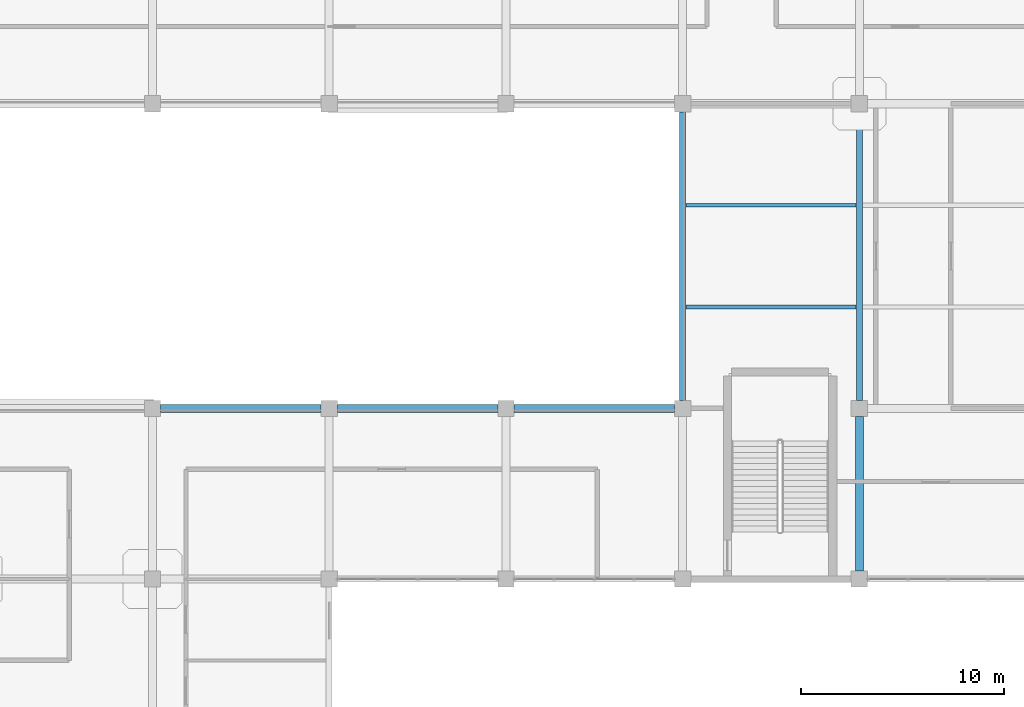
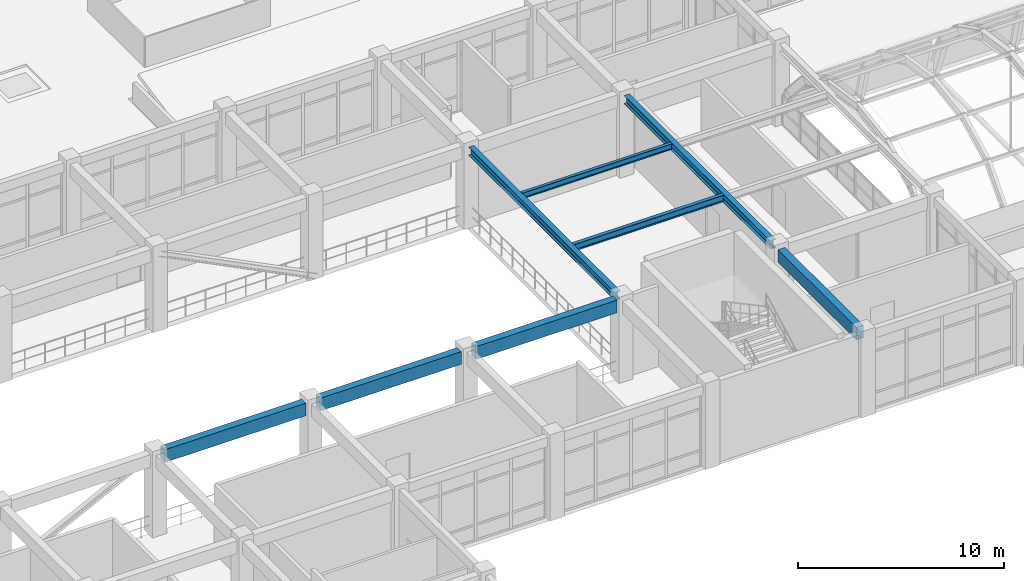
# One storey, part 37 of 124: 8 beams.
"""IFC4 building model written with IfcOpenShell, lengths in metres."""

from ifc_helpers import new_model, si_unit, derived_unit, direction, frame, origin, origin_2d, place, context, subcontext, project, spatial, rectangle, i_section, extrude, material, material_profile, profile_set, type_object, element, save


model = new_model("IFC4")

# Units and contexts
model_context = context("Model", 3, precision=1e-05, world=origin(), true_north=direction((0.0, 1.0)))
body_context = subcontext(model_context, "Body", "Model", "MODEL_VIEW")
ifc_project = project(units=[si_unit("LENGTHUNIT", "METRE"), si_unit("AREAUNIT", "SQUARE_METRE"), si_unit("VOLUMEUNIT", "CUBIC_METRE"), si_unit("PLANEANGLEUNIT", "RADIAN"), si_unit("MASSUNIT", "GRAM", prefix="KILO"), derived_unit("THERMALTRANSMITTANCEUNIT", [(si_unit("MASSUNIT", "GRAM", prefix="KILO"), 1), (si_unit("TIMEUNIT", "SECOND"), -3), (si_unit("THERMODYNAMICTEMPERATUREUNIT", "KELVIN"), -1)])], contexts=[model_context])

# Site, building, storey
site_placement = place(None, origin())
site = spatial("IfcSite", under=ifc_project, at=site_placement, CompositionType="ELEMENT")
building_placement = place(site_placement, origin())
building = spatial("IfcBuilding", under=site, at=building_placement, Name="Qinzheling Arcade Emporium", CompositionType="ELEMENT")
storey_placement = place(building_placement, frame((0.0, 0.0, 16.5)))
storey = spatial("IfcBuildingStorey", under=building, at=storey_placement, Name="L04", CompositionType="ELEMENT", Elevation=16.5)

# Beams
ifc_material_1 = material(Name="Structural steel Q355B", Category="steel")
ifc_material_profile_1 = material_profile(ifc_material_1, i_section(OverallWidth=0.300048828125, OverallDepth=0.488037109375, WebThickness=0.010986328125, FlangeThickness=0.01806640625, FilletRadius=0.02197265625, at=origin_2d()), Name="HM 488x300x11x18", Category="steel")
ifc_profile_set_1 = profile_set([ifc_material_profile_1], Name="Structural steel Q355B")
beam_type_1 = type_object("IfcBeamType", Name="Atrium Bridge Girder HM488 Q355B", PredefinedType="USERDEFINED", material=ifc_profile_set_1)
for number, where, z_axis, x_axis, name in (
    (1, (87.0, 50.800048828125, 4.575927734375), (0.0, 1.0, 0.0), (-1.0, 0.0, 0.0), "Beam BM-L04-Y-11-G"),
    (2, (95.699951171875, 50.800048828125, 4.575927734375), (0.0, 1.0, 0.0), (-1.0, 0.0, 0.0), "Beam BM-L04-Y-12-G"),
):
    element("IfcBeam", number, at=place(storey_placement, frame(where, z_axis=z_axis, x_axis=x_axis)), inside=storey, type_object=beam_type_1, Name=name, ObjectType="TRANSFER_GIRDER", PredefinedType="USERDEFINED", context=body_context, shape_type="SweptSolid", body=[
        extrude(i_section(OverallWidth=0.300048828125, OverallDepth=0.488037109375, WebThickness=0.010986328125, FlangeThickness=0.01806640625, FilletRadius=0.02197265625, at=origin_2d()), origin(), (0.0, 0.0, 1.0), 14.199951171875),
    ])
ifc_material_profile_2 = material_profile(ifc_material_1, i_section(OverallWidth=0.175048828125, OverallDepth=0.35009765625, WebThickness=0.007080078125, FlangeThickness=0.010986328125, FilletRadius=0.013916015625, at=origin_2d()), Name="HN 350x175x7x11", Category="steel")
ifc_profile_set_2 = profile_set([ifc_material_profile_2], Name="Structural steel Q355B")
beam_type_2 = type_object("IfcBeamType", Name="Canopy Secondary Joist HN350 Q355B", PredefinedType="JOIST", material=ifc_profile_set_2)
beam_1_placement = place(storey_placement, frame((87.155029296875, 60.39990234375, 4.64501953125), z_axis=(1.0, 0.0, 0.0), x_axis=(0.0, 1.0, 0.0)))
element("IfcBeam", 3, at=beam_1_placement, inside=storey, type_object=beam_type_2, Name="Secondary Joist JST-L04-11-2", PredefinedType="JOIST", context=body_context, shape_type="SweptSolid", body=[
    extrude(i_section(OverallWidth=0.175048828125, OverallDepth=0.35009765625, WebThickness=0.007080078125, FlangeThickness=0.010986328125, FilletRadius=0.013916015625, at=origin_2d()), origin(), (0.0, 0.0, 1.0), 8.389892578125),
])
ifc_material_2 = material(Name="Concrete C40", Category="concrete")
ifc_material_profile_3 = material_profile(ifc_material_2, rectangle(XDim=0.39990234375, YDim=0.75, at=origin_2d()), Name="RC 400x750", Category="concrete")
ifc_profile_set_3 = profile_set([ifc_material_profile_3], Name="Concrete C40")
beam_type_3 = type_object("IfcBeamType", Name="RC Interior Tie Beam 400x750 C40", PredefinedType="BEAM", material=ifc_profile_set_3)
for number, where, z_axis, x_axis, name in (
    (4, (61.300048828125, 50.39990234375, 4.445068359375), (1.0, 0.0, 0.0), (0.0, 1.0, 0.0), "Beam BM-L04-X-G-8"),
    (5, (70.0, 50.39990234375, 4.445068359375), (1.0, 0.0, 0.0), (0.0, 1.0, 0.0), "Beam BM-L04-X-G-9"),
):
    element("IfcBeam", number, at=place(storey_placement, frame(where, z_axis=z_axis, x_axis=x_axis)), inside=storey, type_object=beam_type_3, Name=name, PredefinedType="BEAM", context=body_context, shape_type="SweptSolid", body=[
        extrude(rectangle(XDim=0.39990234375, YDim=0.75, at=origin_2d()), origin(), (0.0, 0.0, 1.0), 7.89990234375),
    ])
beam_2_placement = place(storey_placement, frame((78.699951171875, 50.39990234375, 4.445068359375), z_axis=(1.0, 0.0, 0.0), x_axis=(0.0, 1.0, 0.0)))
element("IfcBeam", 6, at=beam_2_placement, inside=storey, type_object=beam_type_3, Name="Beam BM-L04-X-G-10", PredefinedType="BEAM", context=body_context, shape_type="SweptSolid", body=[
    extrude(rectangle(XDim=0.39990234375, YDim=0.75, at=origin_2d()), origin(), (0.0, 0.0, 1.0), 7.900146484375),
])
beam_3_placement = place(storey_placement, frame((95.699951171875, 42.39990234375, 4.445068359375), z_axis=(0.0, 1.0, 0.0), x_axis=(-1.0, 0.0, 0.0)))
element("IfcBeam", 7, at=beam_3_placement, inside=storey, type_object=beam_type_3, Name="Beam BM-L04-Y-12-F", PredefinedType="BEAM", context=body_context, shape_type="SweptSolid", body=[
    extrude(rectangle(XDim=0.39990234375, YDim=0.75, at=origin_2d()), origin(), (0.0, 0.0, 1.0), 7.60009765625),
])
ifc_material_profile_4 = material_profile(ifc_material_1, i_section(OverallWidth=0.199951171875, OverallDepth=0.39990234375, WebThickness=0.008056640625, FlangeThickness=0.012939453125, FilletRadius=0.01611328125, at=origin_2d()), Name="HN 400x200x8x13", Category="steel")
ifc_profile_set_4 = profile_set([ifc_material_profile_4], Name="Structural steel Q355B")
beam_type_4 = type_object("IfcBeamType", Name="Storm Eave Outlooker Joist HN400 Q355B", PredefinedType="JOIST", material=ifc_profile_set_4)
beam_4_placement = place(storey_placement, frame((87.155029296875, 55.39990234375, 4.6201171875), z_axis=(1.0, 0.0, 0.0), x_axis=(0.0, 1.0, 0.0)))
element("IfcBeam", 8, at=beam_4_placement, inside=storey, type_object=beam_type_4, Name="Secondary Joist JST-L04-11-1", PredefinedType="JOIST", context=body_context, shape_type="SweptSolid", body=[
    extrude(i_section(OverallWidth=0.199951171875, OverallDepth=0.39990234375, WebThickness=0.008056640625, FlangeThickness=0.012939453125, FilletRadius=0.01611328125, at=origin_2d()), origin(), (0.0, 0.0, 1.0), 8.389892578125),
])

save(model, "model.ifc")
